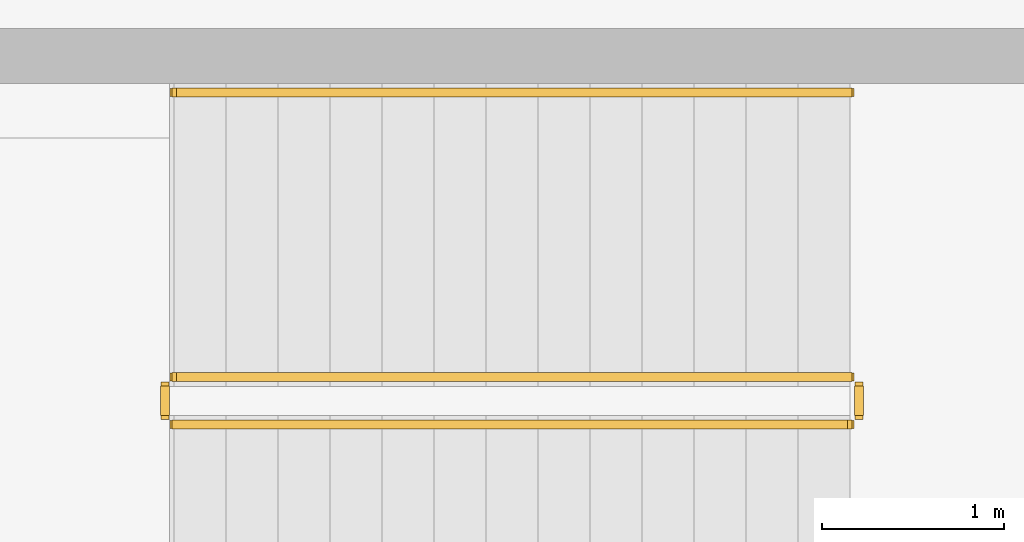
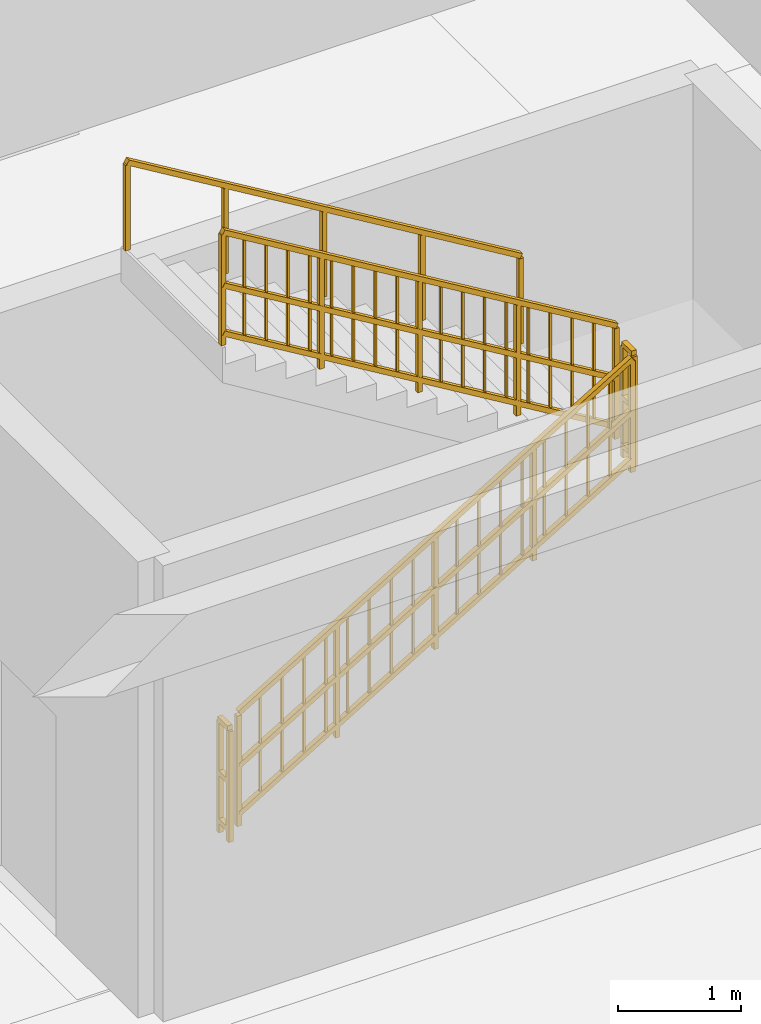
# One storey, part 67 of 68: 5 railings.
"""IFC4 building model written with IfcOpenShell, lengths in metres."""

from ifc_helpers import new_model, si_unit, direction, frame, origin, origin_2d, place, context, subcontext, project, spatial, rectangle, extrude, material, layer, layer_set, type_object, element, save


model = new_model("IFC4")

# Units and contexts
model_context = context("Model", 3, precision=1e-05, world=origin(), true_north=direction((0.0, 1.0)))
body_context = subcontext(model_context, "Body", "Model", "MODEL_VIEW")
ifc_project = project(units=[si_unit("LENGTHUNIT", "METRE"), si_unit("AREAUNIT", "SQUARE_METRE"), si_unit("VOLUMEUNIT", "CUBIC_METRE"), si_unit("PLANEANGLEUNIT", "RADIAN"), si_unit("MASSUNIT", "GRAM", prefix="KILO")], contexts=[model_context])

# Site, building, storey
site_placement = place(None, origin())
site = spatial("IfcSite", under=ifc_project, at=site_placement, CompositionType="ELEMENT")
building_placement = place(site_placement, origin())
building = spatial("IfcBuilding", under=site, at=building_placement, Name="Serraluz Foothill Cableway Terminal", CompositionType="ELEMENT")
storey_placement = place(building_placement, origin())
storey = spatial("IfcBuildingStorey", under=building, at=storey_placement, Name="L00", CompositionType="ELEMENT", Elevation=0.0)

# Railings
ifc_material_1 = material(Name="Steel ASTM A572 Grade 50", Category="steel")
ifc_layer_1 = layer(ifc_material_1, 0.054931640625, Name="Steel ASTM A572 Grade 50", Category="steel")
ifc_layer_set_1 = layer_set([ifc_layer_1], Name="Steel ASTM A572 Grade 50")
railing_type_1 = type_object("IfcRailingType", Name="TYP-RL-GRD-1150", PredefinedType="GUARDRAIL", material=ifc_layer_set_1)
railing_1_placement = place(storey_placement, frame((164.659912109375, 62.409912109375, 0.17138671875)))
element("IfcRailing", 1, at=railing_1_placement, inside=storey, type_object=railing_type_1, Name="L00 ST-05 stair guard 1", PredefinedType="GUARDRAIL", context=body_context, shape_type="SweptSolid", body=[
    extrude(rectangle(XDim=0.048095703125, YDim=0.048095703125, at=origin_2d()), frame((0.0, 0.0, 1.1259765625), z_axis=(0.856934400257, 0.0, 0.515425487977), x_axis=(0.0, 1.0, 0.0)), (0.0, 0.0, 1.0), 4.32373046875),
    extrude(rectangle(XDim=0.048095703125, YDim=0.048095703125, at=origin_2d()), frame((0.0, 0.0, 0.597900390625), z_axis=(0.856934400257, 0.0, 0.515425487977), x_axis=(0.0, 1.0, 0.0)), (0.0, 0.0, 1.0), 4.32373046875),
    extrude(rectangle(XDim=0.048095703125, YDim=0.048095703125, at=origin_2d()), frame((0.0, 0.0, 0.1201171875), z_axis=(0.856934400257, 0.0, 0.515425487977), x_axis=(0.0, 1.0, 0.0)), (0.0, 0.0, 1.0), 4.32373046875),
    extrude(rectangle(XDim=0.02001953125, YDim=0.02001953125, at=origin_2d()), frame((0.205810546875, 0.0, 0.243896484375)), (0.0, 0.0, 1.0), 0.981689453125),
    extrude(rectangle(XDim=0.02001953125, YDim=0.02001953125, at=origin_2d()), frame((0.41162109375, 0.0, 0.36767578125)), (0.0, 0.0, 1.0), 0.981689453125),
    extrude(rectangle(XDim=0.02001953125, YDim=0.02001953125, at=origin_2d()), frame((0.617431640625, 0.0, 0.491455078125)), (0.0, 0.0, 1.0), 0.981689453125),
    extrude(rectangle(XDim=0.02001953125, YDim=0.02001953125, at=origin_2d()), frame((0.8232421875, 0.0, 0.615234375)), (0.0, 0.0, 1.0), 0.981689453125),
    extrude(rectangle(XDim=0.02001953125, YDim=0.02001953125, at=origin_2d()), frame((1.029296875, 0.0, 0.739013671875)), (0.0, 0.0, 1.0), 0.981689453125),
    extrude(rectangle(XDim=0.02001953125, YDim=0.02001953125, at=origin_2d()), frame((1.235107421875, 0.0, 0.86279296875)), (0.0, 0.0, 1.0), 0.981689453125),
    extrude(rectangle(XDim=0.02001953125, YDim=0.02001953125, at=origin_2d()), frame((1.44091796875, 0.0, 0.986572265625)), (0.0, 0.0, 1.0), 0.981689453125),
    extrude(rectangle(XDim=0.02001953125, YDim=0.02001953125, at=origin_2d()), frame((1.646728515625, 0.0, 1.1103515625)), (0.0, 0.0, 1.0), 0.981689453125),
    extrude(rectangle(XDim=0.02001953125, YDim=0.02001953125, at=origin_2d()), frame((2.058349609375, 0.0, 1.358154296875)), (0.0, 0.0, 1.0), 0.981689453125),
    extrude(rectangle(XDim=0.02001953125, YDim=0.02001953125, at=origin_2d()), frame((2.26416015625, 0.0, 1.48193359375)), (0.0, 0.0, 1.0), 0.981689453125),
    extrude(rectangle(XDim=0.02001953125, YDim=0.02001953125, at=origin_2d()), frame((2.469970703125, 0.0, 1.605712890625)), (0.0, 0.0, 1.0), 0.981689453125),
    extrude(rectangle(XDim=0.02001953125, YDim=0.02001953125, at=origin_2d()), frame((2.67578125, 0.0, 1.7294921875)), (0.0, 0.0, 1.0), 0.981689453125),
    extrude(rectangle(XDim=0.02001953125, YDim=0.02001953125, at=origin_2d()), frame((2.8818359375, 0.0, 1.853271484375)), (0.0, 0.0, 1.0), 0.981689453125),
    extrude(rectangle(XDim=0.02001953125, YDim=0.02001953125, at=origin_2d()), frame((3.087646484375, 0.0, 1.97705078125)), (0.0, 0.0, 1.0), 0.981689453125),
    extrude(rectangle(XDim=0.02001953125, YDim=0.02001953125, at=origin_2d()), frame((3.29345703125, 0.0, 2.100830078125)), (0.0, 0.0, 1.0), 0.981689453125),
    extrude(rectangle(XDim=0.02001953125, YDim=0.02001953125, at=origin_2d()), frame((3.499267578125, 0.0, 2.224609375)), (0.0, 0.0, 1.0), 0.981689453125),
    extrude(rectangle(XDim=0.0439453125, YDim=0.0439453125, at=origin_2d()), origin(), (0.0, 0.0, 1.0), 1.101806640625),
    extrude(rectangle(XDim=0.0439453125, YDim=0.0439453125, at=origin_2d()), frame((0.92626953125, 0.0, 0.55712890625)), (0.0, 0.0, 1.0), 1.101806640625),
    extrude(rectangle(XDim=0.0439453125, YDim=0.0439453125, at=origin_2d()), frame((1.8525390625, 0.0, 1.1142578125)), (0.0, 0.0, 1.0), 1.101806640625),
    extrude(rectangle(XDim=0.0439453125, YDim=0.0439453125, at=origin_2d()), frame((2.77880859375, 0.0, 1.67138671875)), (0.0, 0.0, 1.0), 1.101806640625),
    extrude(rectangle(XDim=0.0439453125, YDim=0.0439453125, at=origin_2d()), frame((3.705078125, 0.0, 2.228515625)), (0.0, 0.0, 1.0), 1.101806640625),
])
railing_2_placement = place(storey_placement, frame((168.4150390625, 62.4599609375, 2.39990234375)))
element("IfcRailing", 2, at=railing_2_placement, inside=storey, type_object=railing_type_1, Name="L00 ST-05 stair guard 2", PredefinedType="GUARDRAIL", context=body_context, shape_type="SweptSolid", body=[
    extrude(rectangle(XDim=0.048095703125, YDim=0.048095703125, at=origin_2d()), frame((0.0, 0.0, 1.1259765625), z_axis=(0.0, 1.0, 0.0), x_axis=(-1.0, 0.0, 0.0)), (0.0, 0.0, 1.0), 0.16015625),
    extrude(rectangle(XDim=0.048095703125, YDim=0.048095703125, at=origin_2d()), frame((0.0, 0.0, 0.597900390625), z_axis=(0.0, 1.0, 0.0), x_axis=(-1.0, 0.0, 0.0)), (0.0, 0.0, 1.0), 0.16015625),
    extrude(rectangle(XDim=0.048095703125, YDim=0.048095703125, at=origin_2d()), frame((0.0, 0.0, 0.1201171875), z_axis=(0.0, 1.0, 0.0), x_axis=(-1.0, 0.0, 0.0)), (0.0, 0.0, 1.0), 0.16015625),
    extrude(rectangle(XDim=0.0439453125, YDim=0.0439453125, at=origin_2d()), origin(), (0.0, 0.0, 1.0), 1.101806640625),
    extrude(rectangle(XDim=0.0439453125, YDim=0.0439453125, at=origin_2d()), frame((0.0, 0.16015625, 0.0)), (0.0, 0.0, 1.0), 1.101806640625),
])
railing_3_placement = place(storey_placement, frame((168.364990234375, 62.669921875, 2.571533203125)))
element("IfcRailing", 3, at=railing_3_placement, inside=storey, type_object=railing_type_1, Name="L00 ST-05 stair guard 3", PredefinedType="GUARDRAIL", context=body_context, shape_type="SweptSolid", body=[
    extrude(rectangle(XDim=0.048095703125, YDim=0.048095703125, at=origin_2d()), frame((0.0, 0.0, 1.1259765625), z_axis=(-0.856934400257, 0.0, 0.515425487977), x_axis=(0.0, -1.0, 0.0)), (0.0, 0.0, 1.0), 4.32373046875),
    extrude(rectangle(XDim=0.048095703125, YDim=0.048095703125, at=origin_2d()), frame((0.0, 0.0, 0.597900390625), z_axis=(-0.856934400257, 0.0, 0.515425487977), x_axis=(0.0, -1.0, 0.0)), (0.0, 0.0, 1.0), 4.32373046875),
    extrude(rectangle(XDim=0.048095703125, YDim=0.048095703125, at=origin_2d()), frame((0.0, 0.0, 0.1201171875), z_axis=(-0.856934400257, 0.0, 0.515425487977), x_axis=(0.0, -1.0, 0.0)), (0.0, 0.0, 1.0), 4.32373046875),
    extrude(rectangle(XDim=0.02001953125, YDim=0.02001953125, at=origin_2d()), frame((-0.205810546875, 0.0, 0.243896484375)), (0.0, 0.0, 1.0), 0.981689453125),
    extrude(rectangle(XDim=0.02001953125, YDim=0.02001953125, at=origin_2d()), frame((-0.41162109375, 0.0, 0.36767578125)), (0.0, 0.0, 1.0), 0.981689453125),
    extrude(rectangle(XDim=0.02001953125, YDim=0.02001953125, at=origin_2d()), frame((-0.617431640625, 0.0, 0.491455078125)), (0.0, 0.0, 1.0), 0.981689453125),
    extrude(rectangle(XDim=0.02001953125, YDim=0.02001953125, at=origin_2d()), frame((-0.8232421875, 0.0, 0.615234375)), (0.0, 0.0, 1.0), 0.981689453125),
    extrude(rectangle(XDim=0.02001953125, YDim=0.02001953125, at=origin_2d()), frame((-1.029296875, 0.0, 0.739013671875)), (0.0, 0.0, 1.0), 0.981689453125),
    extrude(rectangle(XDim=0.02001953125, YDim=0.02001953125, at=origin_2d()), frame((-1.235107421875, 0.0, 0.86279296875)), (0.0, 0.0, 1.0), 0.981689453125),
    extrude(rectangle(XDim=0.02001953125, YDim=0.02001953125, at=origin_2d()), frame((-1.44091796875, 0.0, 0.986572265625)), (0.0, 0.0, 1.0), 0.981689453125),
    extrude(rectangle(XDim=0.02001953125, YDim=0.02001953125, at=origin_2d()), frame((-1.646728515625, 0.0, 1.1103515625)), (0.0, 0.0, 1.0), 0.981689453125),
    extrude(rectangle(XDim=0.02001953125, YDim=0.02001953125, at=origin_2d()), frame((-2.058349609375, 0.0, 1.358154296875)), (0.0, 0.0, 1.0), 0.981689453125),
    extrude(rectangle(XDim=0.02001953125, YDim=0.02001953125, at=origin_2d()), frame((-2.26416015625, 0.0, 1.48193359375)), (0.0, 0.0, 1.0), 0.981689453125),
    extrude(rectangle(XDim=0.02001953125, YDim=0.02001953125, at=origin_2d()), frame((-2.469970703125, 0.0, 1.605712890625)), (0.0, 0.0, 1.0), 0.981689453125),
    extrude(rectangle(XDim=0.02001953125, YDim=0.02001953125, at=origin_2d()), frame((-2.67578125, 0.0, 1.7294921875)), (0.0, 0.0, 1.0), 0.981689453125),
    extrude(rectangle(XDim=0.02001953125, YDim=0.02001953125, at=origin_2d()), frame((-2.8818359375, 0.0, 1.853271484375)), (0.0, 0.0, 1.0), 0.981689453125),
    extrude(rectangle(XDim=0.02001953125, YDim=0.02001953125, at=origin_2d()), frame((-3.087646484375, 0.0, 1.97705078125)), (0.0, 0.0, 1.0), 0.981689453125),
    extrude(rectangle(XDim=0.02001953125, YDim=0.02001953125, at=origin_2d()), frame((-3.29345703125, 0.0, 2.100830078125)), (0.0, 0.0, 1.0), 0.981689453125),
    extrude(rectangle(XDim=0.02001953125, YDim=0.02001953125, at=origin_2d()), frame((-3.499267578125, 0.0, 2.224609375)), (0.0, 0.0, 1.0), 0.981689453125),
    extrude(rectangle(XDim=0.0439453125, YDim=0.0439453125, at=origin_2d()), origin(), (0.0, 0.0, 1.0), 1.101806640625),
    extrude(rectangle(XDim=0.0439453125, YDim=0.0439453125, at=origin_2d()), frame((-0.92626953125, 0.0, 0.55712890625)), (0.0, 0.0, 1.0), 1.101806640625),
    extrude(rectangle(XDim=0.0439453125, YDim=0.0439453125, at=origin_2d()), frame((-1.8525390625, 0.0, 1.1142578125)), (0.0, 0.0, 1.0), 1.101806640625),
    extrude(rectangle(XDim=0.0439453125, YDim=0.0439453125, at=origin_2d()), frame((-2.77880859375, 0.0, 1.67138671875)), (0.0, 0.0, 1.0), 1.101806640625),
    extrude(rectangle(XDim=0.0439453125, YDim=0.0439453125, at=origin_2d()), frame((-3.705078125, 0.0, 2.228515625)), (0.0, 0.0, 1.0), 1.101806640625),
])
railing_4_placement = place(storey_placement, frame((164.610107421875, 62.4599609375, 0.0)))
element("IfcRailing", 4, at=railing_4_placement, inside=storey, type_object=railing_type_1, Name="L00 ST-05 stair guard 4", PredefinedType="GUARDRAIL", context=body_context, shape_type="SweptSolid", body=[
    extrude(rectangle(XDim=0.048095703125, YDim=0.048095703125, at=origin_2d()), frame((0.0, 0.0, 1.1259765625), z_axis=(0.0, 1.0, 0.0), x_axis=(-1.0, 0.0, 0.0)), (0.0, 0.0, 1.0), 0.16015625),
    extrude(rectangle(XDim=0.048095703125, YDim=0.048095703125, at=origin_2d()), frame((0.0, 0.0, 0.597900390625), z_axis=(0.0, 1.0, 0.0), x_axis=(-1.0, 0.0, 0.0)), (0.0, 0.0, 1.0), 0.16015625),
    extrude(rectangle(XDim=0.048095703125, YDim=0.048095703125, at=origin_2d()), frame((0.0, 0.0, 0.1201171875), z_axis=(0.0, 1.0, 0.0), x_axis=(-1.0, 0.0, 0.0)), (0.0, 0.0, 1.0), 0.16015625),
    extrude(rectangle(XDim=0.0439453125, YDim=0.0439453125, at=origin_2d()), origin(), (0.0, 0.0, 1.0), 1.101806640625),
    extrude(rectangle(XDim=0.0439453125, YDim=0.0439453125, at=origin_2d()), frame((0.0, 0.16015625, 0.0)), (0.0, 0.0, 1.0), 1.101806640625),
])
ifc_material_2 = material(Name="Architectural bronze alloy C28000", Category="aluminium")
ifc_layer_2 = layer(ifc_material_2, 0.048095703125, Name="Architectural bronze alloy C28000", Category="aluminium")
ifc_layer_set_2 = layer_set([ifc_layer_2], Name="Architectural bronze alloy C28000")
railing_type_2 = type_object("IfcRailingType", Name="TYP-RL-HND-920", PredefinedType="HANDRAIL", material=ifc_layer_set_2)
railing_5_placement = place(storey_placement, frame((168.364990234375, 64.22998046875, 2.571533203125)))
element("IfcRailing", 5, at=railing_5_placement, inside=storey, type_object=railing_type_2, Name="L00 ST-05 stair handrail 2", PredefinedType="HANDRAIL", context=body_context, shape_type="SweptSolid", body=[
    extrude(rectangle(XDim=0.048095703125, YDim=0.048095703125, at=origin_2d()), frame((0.0, 0.0, 0.8759765625), z_axis=(-0.856934400257, 0.0, 0.515425487977), x_axis=(0.0, -1.0, 0.0)), (0.0, 0.0, 1.0), 4.32373046875),
    extrude(rectangle(XDim=0.0439453125, YDim=0.0439453125, at=origin_2d()), origin(), (0.0, 0.0, 1.0), 0.851806640625),
    extrude(rectangle(XDim=0.0439453125, YDim=0.0439453125, at=origin_2d()), frame((-0.92626953125, 0.0, 0.55712890625)), (0.0, 0.0, 1.0), 0.851806640625),
    extrude(rectangle(XDim=0.0439453125, YDim=0.0439453125, at=origin_2d()), frame((-1.8525390625, 0.0, 1.1142578125)), (0.0, 0.0, 1.0), 0.851806640625),
    extrude(rectangle(XDim=0.0439453125, YDim=0.0439453125, at=origin_2d()), frame((-2.77880859375, 0.0, 1.67138671875)), (0.0, 0.0, 1.0), 0.851806640625),
    extrude(rectangle(XDim=0.0439453125, YDim=0.0439453125, at=origin_2d()), frame((-3.705078125, 0.0, 2.228515625)), (0.0, 0.0, 1.0), 0.851806640625),
])

save(model, "model.ifc")
